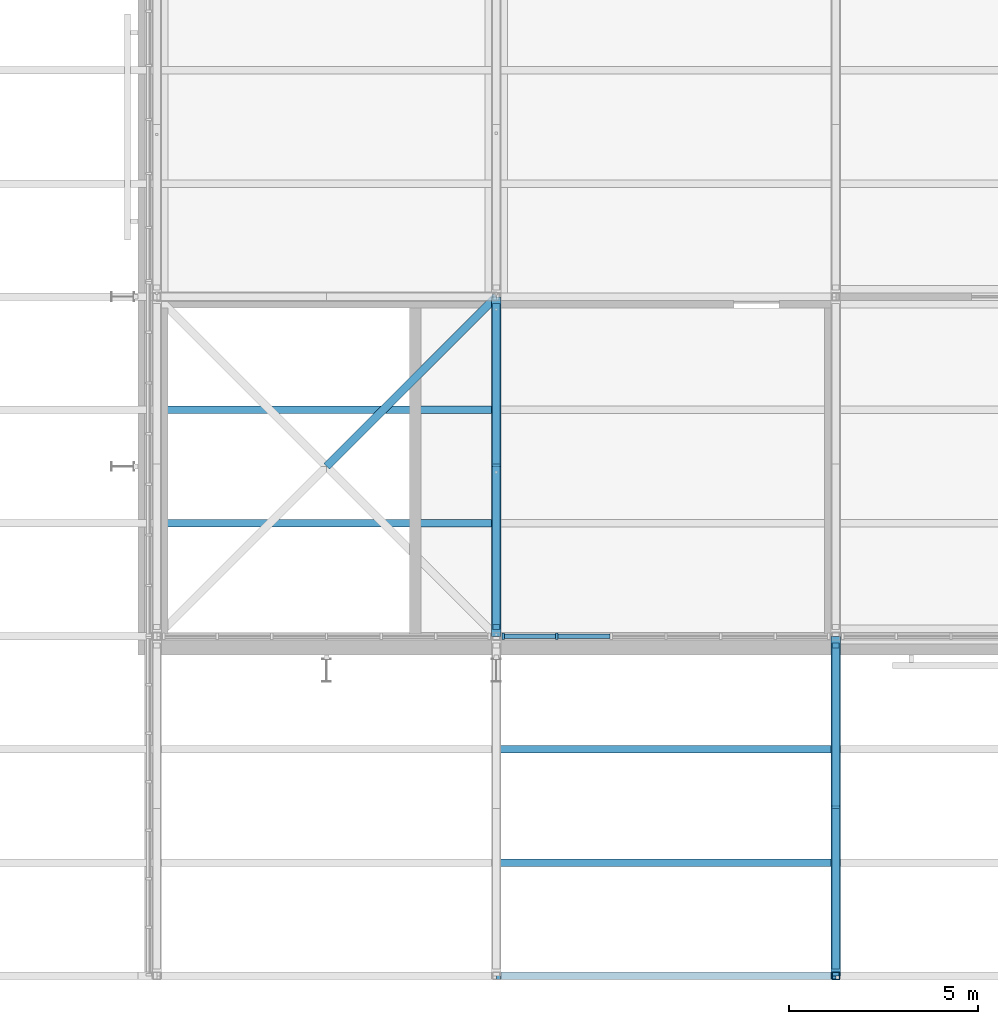
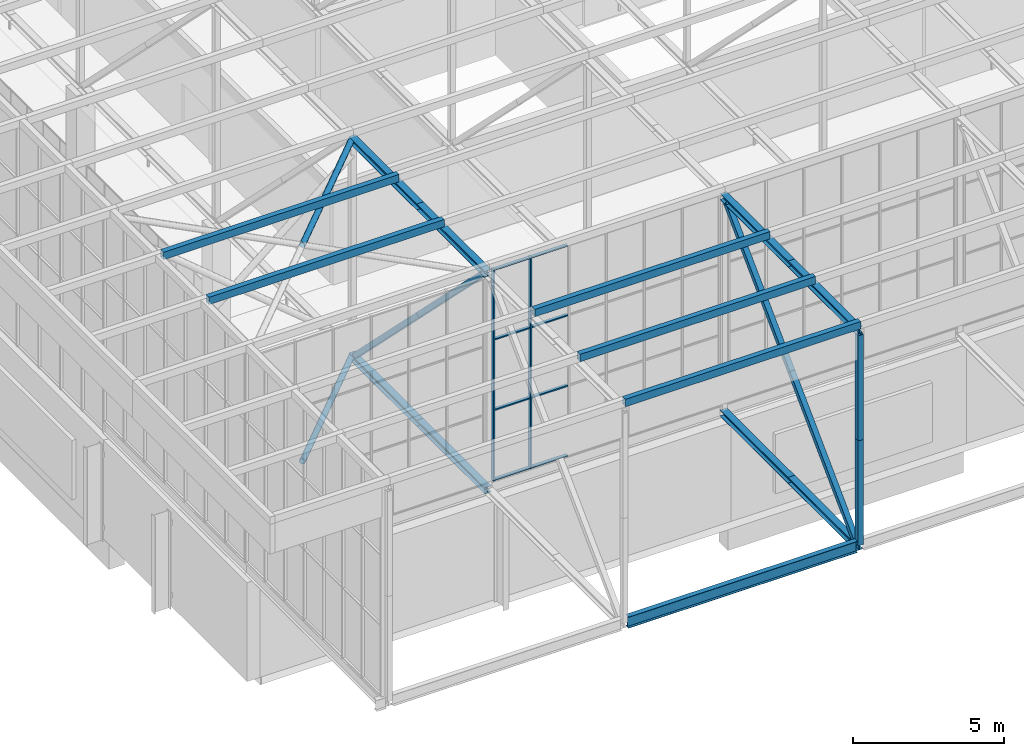
# One storey, part 10 of 646: 31 members, 1 beam, 1 element without a shape of its own.
"""IFC4 building model written with IfcOpenShell, lengths in metres."""

from ifc_helpers import new_model, si_unit, direction, frame, origin, origin_2d, place, context, subcontext, project, spatial, rectangle, hollow_rectangle, hollow_circle, i_section, extrude, material, material_profile, profile_set, type_object, element, aggregate, save


model = new_model("IFC4")

# Units and contexts
model_context = context("Model", 3, precision=1e-05, world=origin(), true_north=direction((0.0, 1.0)))
body_context = subcontext(model_context, "Body", "Model", "MODEL_VIEW")
ifc_project = project(units=[si_unit("LENGTHUNIT", "METRE"), si_unit("AREAUNIT", "SQUARE_METRE"), si_unit("VOLUMEUNIT", "CUBIC_METRE"), si_unit("PLANEANGLEUNIT", "RADIAN"), si_unit("MASSUNIT", "GRAM", prefix="KILO")], contexts=[model_context])

# Site, building, storey
site_placement = place(None, origin())
site = spatial("IfcSite", under=ifc_project, at=site_placement, CompositionType="ELEMENT")
building_placement = place(site_placement, origin())
building = spatial("IfcBuilding", under=site, at=building_placement, Name="Silverbay Arena", CompositionType="ELEMENT")
storey_placement = place(building_placement, frame((0.0, 0.0, 33.5)))
storey = spatial("IfcBuildingStorey", under=building, at=storey_placement, Name="L05", CompositionType="ELEMENT", Elevation=33.5)

# Members
ifc_material_1 = material(Name="Steel S355", Category="steel")
ifc_material_profile_1 = material_profile(ifc_material_1, i_section(OverallWidth=0.254638671875, OverallDepth=0.254150390625, WebThickness=0.008544921875, FlangeThickness=0.01416015625, at=origin_2d()), Name="UC 254x254x73")
ifc_profile_set_1 = profile_set([ifc_material_profile_1], Name="Steel S355")
member_type_1 = type_object("IfcMemberType", Name="Medium-span bottom chord UC 254x254x73", PredefinedType="CHORD", material=ifc_profile_set_1)
for number, where, z_axis, x_axis, name in (
    (1, (72.0, 9.0, 4.126953125), (0.0, 1.0, 0.0), (-1.0, 0.0, 0.0), "ROOF TRUSS 9 bottom chord 01a"),
    (2, (72.0, 13.5, 4.126953125), (0.0, 1.0, 0.0), (-1.0, 0.0, 0.0), "ROOF TRUSS 9 bottom chord 01b"),
):
    element("IfcMember", number, at=place(storey_placement, frame(where, z_axis=z_axis, x_axis=x_axis)), inside=storey, type_object=member_type_1, Name=name, PredefinedType="CHORD", context=body_context, shape_type="SweptSolid", body=[
        extrude(i_section(OverallWidth=0.254638671875, OverallDepth=0.254150390625, WebThickness=0.008544921875, FlangeThickness=0.01416015625, at=origin_2d()), origin(), (0.0, 0.0, 1.0), 4.5),
    ])
ifc_material_2 = material(Name="Steel S355", Category="steel")
ifc_material_profile_2 = material_profile(ifc_material_2, i_section(OverallWidth=0.254638671875, OverallDepth=0.254150390625, WebThickness=0.008544921875, FlangeThickness=0.01416015625, at=origin_2d()), Name="UC 254x254x73")
ifc_profile_set_2 = profile_set([ifc_material_profile_2], Name="Steel S355")
member_type_2 = type_object("IfcMemberType", Name="Medium-span top chord UC 254x254x73", PredefinedType="CHORD", material=ifc_profile_set_2)
for number, where, z_axis, x_axis, name in (
    (3, (72.0, 9.0, 12.873046875), (0.0, 1.0, 0.0), (-1.0, 0.0, 0.0), "ROOF TRUSS 9 top chord 01a"),
    (4, (72.0, 13.5, 12.873046875), (0.0, 1.0, 0.0), (-1.0, 0.0, 0.0), "ROOF TRUSS 9 top chord 01b"),
):
    element("IfcMember", number, at=place(storey_placement, frame(where, z_axis=z_axis, x_axis=x_axis)), inside=storey, type_object=member_type_2, Name=name, PredefinedType="CHORD", context=body_context, shape_type="SweptSolid", body=[
        extrude(i_section(OverallWidth=0.254638671875, OverallDepth=0.254150390625, WebThickness=0.008544921875, FlangeThickness=0.01416015625, at=origin_2d()), origin(), (0.0, 0.0, 1.0), 4.5),
    ])
ifc_material_3 = material(Name="Steel S355", Category="steel")
ifc_material_profile_3 = material_profile(ifc_material_3, hollow_rectangle(XDim=0.199951171875, YDim=0.199951171875, WallThickness=0.008056640625, at=origin_2d()), Name="SHS 200x200x8")
ifc_profile_set_3 = profile_set([ifc_material_profile_3], Name="Steel S355")
member_type_3 = type_object("IfcMemberType", Name="Medium-span truss diagonal SHS 200x200x8", PredefinedType="BRACE", material=ifc_profile_set_3)
for number, where, z_axis, x_axis, name in (
    (5, (72.0, 17.75439453125, 12.745849609375), (0.0, -0.70781724692, -0.706395600894), (1.0, 0.0, 0.0), "ROOF TRUSS 9 diagonal 01a"),
    (6, (72.0, 13.5, 8.5), (0.0, -0.70781724692, -0.706395600894), (1.0, 0.0, 0.0), "ROOF TRUSS 9 diagonal 01b"),
):
    element("IfcMember", number, at=place(storey_placement, frame(where, z_axis=z_axis, x_axis=x_axis)), inside=storey, type_object=member_type_3, Name=name, PredefinedType="BRACE", context=body_context, shape_type="SweptSolid", body=[
        extrude(hollow_rectangle(XDim=0.199951171875, YDim=0.199951171875, WallThickness=0.008056640625, at=origin_2d()), origin(), (0.0, 0.0, 1.0), 6.010498046875),
    ])
ifc_material_4 = material(Name="Steel S355", Category="steel")
ifc_material_profile_4 = material_profile(ifc_material_4, hollow_rectangle(XDim=0.199951171875, YDim=0.199951171875, WallThickness=0.008056640625, at=origin_2d()), Name="SHS 200x200x8")
ifc_profile_set_4 = profile_set([ifc_material_profile_4], Name="Steel S355")
member_type_4 = type_object("IfcMemberType", Name="Medium-span truss vertical SHS 200x200x8", PredefinedType="STRUT", material=ifc_profile_set_4)
for number, where, z_axis, x_axis, name in (
    (7, (72.0, 9.0, 4.254150390625), (0.0, 0.0, 1.0), (1.0, 0.0, 0.0), "ROOF TRUSS 9 vertical 01a"),
    (8, (72.0, 9.0, 8.5), (0.0, 0.0, 1.0), (1.0, 0.0, 0.0), "ROOF TRUSS 9 vertical 01b"),
):
    element("IfcMember", number, at=place(storey_placement, frame(where, z_axis=z_axis, x_axis=x_axis)), inside=storey, type_object=member_type_4, Name=name, PredefinedType="STRUT", context=body_context, shape_type="SweptSolid", body=[
        extrude(hollow_rectangle(XDim=0.199951171875, YDim=0.199951171875, WallThickness=0.008056640625, at=origin_2d()), origin(), (0.0, 0.0, 1.0), 4.245849609375),
    ])

# Curtain wall, members
ifc_material_5 = material(Name="Aluminium framed glazing", Category="aluminium")
curtain_wall_type = type_object("IfcCurtainWallType", Name="Curtain wall clerestory 8693 x 8540", PredefinedType="NOTDEFINED", material=ifc_material_5)
curtain_wall_placement = place(storey_placement, origin())
curtain_wall = element("IfcCurtainWall", 9, at=curtain_wall_placement, inside=storey, type_object=curtain_wall_type, Name="ROOF CLERESTORY CURTAIN WALL south bay 02", PredefinedType="NOTDEFINED")
ifc_material_6 = material(Name="Aluminium", Category="aluminium")
ifc_material_profile_5 = material_profile(ifc_material_6, rectangle(XDim=0.159912109375, YDim=0.06005859375, at=origin_2d()), Name="Mullion 60 x 160")
ifc_profile_set_5 = profile_set([ifc_material_profile_5], Name="Aluminium")
member_type_5 = type_object("IfcMemberType", Name="Mullion 60 x 160", PredefinedType="MULLION", material=ifc_profile_set_5)
member_1_placement = place(storey_placement, frame((63.18359375, 18.0, 4.4599609375), z_axis=(0.0, 0.0, 1.0), x_axis=(0.0, 1.0, 0.0)))
member_1 = element("IfcMember", 10, at=member_1_placement, type_object=member_type_5, Name="CW55 mullion 1", PredefinedType="MULLION", context=body_context, shape_type="SweptSolid", body=[
    extrude(rectangle(XDim=0.159912109375, YDim=0.06005859375, at=origin_2d()), origin(), (0.0, 0.0, 1.0), 8.5400390625),
])
member_2_placement = place(storey_placement, frame((64.6025390625, 18.0, 4.4599609375), z_axis=(0.0, 0.0, 1.0), x_axis=(0.0, 1.0, 0.0)))
member_2 = element("IfcMember", 11, at=member_2_placement, type_object=member_type_5, Name="CW55 mullion 2", PredefinedType="MULLION", context=body_context, shape_type="SweptSolid", body=[
    extrude(rectangle(XDim=0.159912109375, YDim=0.06005859375, at=origin_2d()), origin(), (0.0, 0.0, 1.0), 8.5400390625),
])

# Members
ifc_material_7 = material(Name="Steel S355", Category="steel")
ifc_material_profile_6 = material_profile(ifc_material_7, hollow_circle(Radius=0.109619140625, WallThickness=0.00634765625, at=origin_2d()), Name="CHS 219.1x6.3")
ifc_profile_set_6 = profile_set([ifc_material_profile_6], Name="Steel S355")
member_type_6 = type_object("IfcMemberType", Name="Plan bracing CHS 219.1x6.3", PredefinedType="BRACE", material=ifc_profile_set_6)
for number, where, z_axis, x_axis, name in (
    (12, (58.5, 22.5, 12.873046875), (0.707106781187, 0.707106781187, 0.0), (-0.707106781187, 0.707106781187, 0.0), "ROOF BRACING top 7-8 panel 02 Ab"),
    (13, (58.5, 22.5, 4.126953125), (0.707106781187, 0.707106781187, 0.0), (-0.707106781187, 0.707106781187, 0.0), "ROOF BRACING bottom 7-8 panel 02 Ab"),
):
    element("IfcMember", number, at=place(storey_placement, frame(where, z_axis=z_axis, x_axis=x_axis)), inside=storey, type_object=member_type_6, Name=name, PredefinedType="BRACE", context=body_context, shape_type="SweptSolid", body=[
        extrude(hollow_circle(Radius=0.109619140625, WallThickness=0.00634765625, at=origin_2d()), origin(), (0.0, 0.0, 1.0), 6.364013671875),
    ])
ifc_material_8 = material(Name="Steel S355", Category="steel")
ifc_material_profile_7 = material_profile(ifc_material_8, hollow_rectangle(XDim=0.199951171875, YDim=0.300048828125, WallThickness=0.008056640625, at=origin_2d()), Name="RHS 300x200x8")
ifc_profile_set_7 = profile_set([ifc_material_profile_7], Name="Steel S355")
member_type_7 = type_object("IfcMemberType", Name="Purlin RHS 300x200x8", PredefinedType="PURLIN", material=ifc_profile_set_7)
for number, where, z_axis, x_axis, name in (
    (14, (54.0, 21.0, 13.14990234375), (1.0, 0.0, 0.0), (0.0, 1.0, 0.0), "ROOF PURLIN 7-8 line 05"),
    (15, (54.0, 24.0, 13.14990234375), (1.0, 0.0, 0.0), (0.0, 1.0, 0.0), "ROOF PURLIN 7-8 line 06"),
    (16, (63.0, 9.0, 13.14990234375), (1.0, 0.0, 0.0), (0.0, 1.0, 0.0), "ROOF PURLIN 8-9 line 01"),
    (17, (63.0, 12.0, 13.14990234375), (1.0, 0.0, 0.0), (0.0, 1.0, 0.0), "ROOF PURLIN 8-9 line 02"),
    (18, (63.0, 15.0, 13.14990234375), (1.0, 0.0, 0.0), (0.0, 1.0, 0.0), "ROOF PURLIN 8-9 line 03"),
):
    element("IfcMember", number, at=place(storey_placement, frame(where, z_axis=z_axis, x_axis=x_axis)), inside=storey, type_object=member_type_7, Name=name, PredefinedType="PURLIN", context=body_context, shape_type="SweptSolid", body=[
        extrude(hollow_rectangle(XDim=0.199951171875, YDim=0.300048828125, WallThickness=0.008056640625, at=origin_2d()), origin(), (0.0, 0.0, 1.0), 9.0),
    ])

# Beam
ifc_material_9 = material(Name="Steel S355", Category="steel")
ifc_material_profile_8 = material_profile(ifc_material_9, i_section(OverallWidth=0.18994140625, OverallDepth=0.453369140625, WebThickness=0.008544921875, FlangeThickness=0.0126953125, at=origin_2d()), Name="UB 457x191x67")
ifc_profile_set_8 = profile_set([ifc_material_profile_8], Name="Steel S355")
beam_type = type_object("IfcBeamType", Name="Ring beam UB 457x191x67", PredefinedType="BEAM", material=ifc_profile_set_8)
beam_placement = place(storey_placement, frame((63.127197265625, 9.0, 4.226806640625), z_axis=(1.0, 0.0, 0.0), x_axis=(0.0, 1.0, 0.0)))
element("IfcBeam", 19, at=beam_placement, inside=storey, type_object=beam_type, Name="RING BEAM south edge 8-9", PredefinedType="BEAM", context=body_context, shape_type="SweptSolid", body=[
    extrude(i_section(OverallWidth=0.18994140625, OverallDepth=0.453369140625, WebThickness=0.008544921875, FlangeThickness=0.0126953125, at=origin_2d()), origin(), (0.0, 0.0, 1.0), 8.74560546875),
])

# Members
ifc_material_10 = material(Name="Steel S355", Category="steel")
ifc_material_profile_9 = material_profile(ifc_material_10, i_section(OverallWidth=0.254638671875, OverallDepth=0.254150390625, WebThickness=0.008544921875, FlangeThickness=0.01416015625, at=origin_2d()), Name="UC 254x254x73")
ifc_profile_set_9 = profile_set([ifc_material_profile_9], Name="Steel S355")
member_type_8 = type_object("IfcMemberType", Name="Short-span bottom chord UC 254x254x73", PredefinedType="CHORD", material=ifc_profile_set_9)
for number, where, z_axis, x_axis, name in (
    (20, (63.0, 18.0, 4.126953125), (0.0, 1.0, 0.0), (-1.0, 0.0, 0.0), "ROOF TRUSS 8 bottom chord 02a"),
    (21, (63.0, 22.5, 4.126953125), (0.0, 1.0, 0.0), (-1.0, 0.0, 0.0), "ROOF TRUSS 8 bottom chord 02b"),
):
    element("IfcMember", number, at=place(storey_placement, frame(where, z_axis=z_axis, x_axis=x_axis)), inside=storey, type_object=member_type_8, Name=name, PredefinedType="CHORD", context=body_context, shape_type="SweptSolid", body=[
        extrude(i_section(OverallWidth=0.254638671875, OverallDepth=0.254150390625, WebThickness=0.008544921875, FlangeThickness=0.01416015625, at=origin_2d()), origin(), (0.0, 0.0, 1.0), 4.5),
    ])
ifc_material_11 = material(Name="Steel S355", Category="steel")
ifc_material_profile_10 = material_profile(ifc_material_11, i_section(OverallWidth=0.254638671875, OverallDepth=0.254150390625, WebThickness=0.008544921875, FlangeThickness=0.01416015625, at=origin_2d()), Name="UC 254x254x73")
ifc_profile_set_10 = profile_set([ifc_material_profile_10], Name="Steel S355")
member_type_9 = type_object("IfcMemberType", Name="Short-span top chord UC 254x254x73", PredefinedType="CHORD", material=ifc_profile_set_10)
for number, where, z_axis, x_axis, name in (
    (22, (63.0, 18.0, 12.873046875), (0.0, 1.0, 0.0), (-1.0, 0.0, 0.0), "ROOF TRUSS 8 top chord 02a"),
    (23, (63.0, 22.5, 12.873046875), (0.0, 1.0, 0.0), (-1.0, 0.0, 0.0), "ROOF TRUSS 8 top chord 02b"),
):
    element("IfcMember", number, at=place(storey_placement, frame(where, z_axis=z_axis, x_axis=x_axis)), inside=storey, type_object=member_type_9, Name=name, PredefinedType="CHORD", context=body_context, shape_type="SweptSolid", body=[
        extrude(i_section(OverallWidth=0.254638671875, OverallDepth=0.254150390625, WebThickness=0.008544921875, FlangeThickness=0.01416015625, at=origin_2d()), origin(), (0.0, 0.0, 1.0), 4.5),
    ])
ifc_material_12 = material(Name="Steel S355", Category="steel")
ifc_material_profile_11 = material_profile(ifc_material_12, hollow_rectangle(XDim=0.199951171875, YDim=0.199951171875, WallThickness=0.008056640625, at=origin_2d()), Name="SHS 200x200x8")
ifc_profile_set_11 = profile_set([ifc_material_profile_11], Name="Steel S355")
member_type_10 = type_object("IfcMemberType", Name="Short-span truss diagonal SHS 200x200x8", PredefinedType="BRACE", material=ifc_profile_set_11)
for number, where, z_axis, x_axis, name in (
    (24, (63.0, 18.24560546875, 12.745849609375), (0.0, 0.70781724692, -0.706395600894), (-1.0, 0.0, 0.0), "ROOF TRUSS 8 diagonal 02a"),
    (25, (63.0, 22.5, 8.5), (0.0, 0.70781724692, -0.706395600894), (-1.0, 0.0, 0.0), "ROOF TRUSS 8 diagonal 02b"),
):
    element("IfcMember", number, at=place(storey_placement, frame(where, z_axis=z_axis, x_axis=x_axis)), inside=storey, type_object=member_type_10, Name=name, PredefinedType="BRACE", context=body_context, shape_type="SweptSolid", body=[
        extrude(hollow_rectangle(XDim=0.199951171875, YDim=0.199951171875, WallThickness=0.008056640625, at=origin_2d()), origin(), (0.0, 0.0, 1.0), 6.010498046875),
    ])

# Member
ifc_material_13 = material(Name="Aluminium", Category="aluminium")
ifc_material_profile_12 = material_profile(ifc_material_13, rectangle(XDim=0.1201171875, YDim=0.050048828125, at=origin_2d()), Name="Transom 50 x 120")
ifc_profile_set_12 = profile_set([ifc_material_profile_12], Name="Aluminium")
member_type_11 = type_object("IfcMemberType", Name="Transom 50 x 120", PredefinedType="USERDEFINED", material=ifc_profile_set_12)
member_3_placement = place(storey_placement, frame((63.213623046875, 18.0, 4.485107421875), z_axis=(1.0, 0.0, 0.0), x_axis=(0.0, 1.0, 0.0)))
member_3 = element("IfcMember", 26, at=member_3_placement, type_object=member_type_11, Name="CW55 transom 1.1", ObjectType="TRANSOM", PredefinedType="USERDEFINED", context=body_context, shape_type="SweptSolid", body=[
    extrude(rectangle(XDim=0.1201171875, YDim=0.050048828125, at=origin_2d()), origin(), (0.0, 0.0, 1.0), 1.35888671875),
])

member_4_placement = place(storey_placement, frame((63.213623046875, 18.0, 7.306640625), z_axis=(1.0, 0.0, 0.0), x_axis=(0.0, 1.0, 0.0)))
member_4 = element("IfcMember", 27, at=member_4_placement, type_object=member_type_11, Name="CW55 transom 1.2", ObjectType="TRANSOM", PredefinedType="USERDEFINED", context=body_context, shape_type="SweptSolid", body=[
    extrude(rectangle(XDim=0.1201171875, YDim=0.050048828125, at=origin_2d()), origin(), (0.0, 0.0, 1.0), 1.35888671875),
])

member_5_placement = place(storey_placement, frame((63.213623046875, 18.0, 10.1533203125), z_axis=(1.0, 0.0, 0.0), x_axis=(0.0, 1.0, 0.0)))
member_5 = element("IfcMember", 28, at=member_5_placement, type_object=member_type_11, Name="CW55 transom 1.3", ObjectType="TRANSOM", PredefinedType="USERDEFINED", context=body_context, shape_type="SweptSolid", body=[
    extrude(rectangle(XDim=0.1201171875, YDim=0.050048828125, at=origin_2d()), origin(), (0.0, 0.0, 1.0), 1.35888671875),
])

member_6_placement = place(storey_placement, frame((63.213623046875, 18.0, 12.97509765625), z_axis=(1.0, 0.0, 0.0), x_axis=(0.0, 1.0, 0.0)))
member_6 = element("IfcMember", 29, at=member_6_placement, type_object=member_type_11, Name="CW55 transom 1.4", ObjectType="TRANSOM", PredefinedType="USERDEFINED", context=body_context, shape_type="SweptSolid", body=[
    extrude(rectangle(XDim=0.1201171875, YDim=0.050048828125, at=origin_2d()), origin(), (0.0, 0.0, 1.0), 1.35888671875),
])

member_7_placement = place(storey_placement, frame((64.632568359375, 18.0, 4.485107421875), z_axis=(1.0, 0.0, 0.0), x_axis=(0.0, 1.0, 0.0)))
member_7 = element("IfcMember", 30, at=member_7_placement, type_object=member_type_11, Name="CW55 transom 2.1", ObjectType="TRANSOM", PredefinedType="USERDEFINED", context=body_context, shape_type="SweptSolid", body=[
    extrude(rectangle(XDim=0.1201171875, YDim=0.050048828125, at=origin_2d()), origin(), (0.0, 0.0, 1.0), 1.388671875),
])

member_8_placement = place(storey_placement, frame((64.632568359375, 18.0, 7.306640625), z_axis=(1.0, 0.0, 0.0), x_axis=(0.0, 1.0, 0.0)))
member_8 = element("IfcMember", 31, at=member_8_placement, type_object=member_type_11, Name="CW55 transom 2.2", ObjectType="TRANSOM", PredefinedType="USERDEFINED", context=body_context, shape_type="SweptSolid", body=[
    extrude(rectangle(XDim=0.1201171875, YDim=0.050048828125, at=origin_2d()), origin(), (0.0, 0.0, 1.0), 1.388671875),
])

member_9_placement = place(storey_placement, frame((64.632568359375, 18.0, 10.1533203125), z_axis=(1.0, 0.0, 0.0), x_axis=(0.0, 1.0, 0.0)))
member_9 = element("IfcMember", 32, at=member_9_placement, type_object=member_type_11, Name="CW55 transom 2.3", ObjectType="TRANSOM", PredefinedType="USERDEFINED", context=body_context, shape_type="SweptSolid", body=[
    extrude(rectangle(XDim=0.1201171875, YDim=0.050048828125, at=origin_2d()), origin(), (0.0, 0.0, 1.0), 1.388671875),
])

member_10_placement = place(storey_placement, frame((64.632568359375, 18.0, 12.97509765625), z_axis=(1.0, 0.0, 0.0), x_axis=(0.0, 1.0, 0.0)))
member_10 = element("IfcMember", 33, at=member_10_placement, type_object=member_type_11, Name="CW55 transom 2.4", ObjectType="TRANSOM", PredefinedType="USERDEFINED", context=body_context, shape_type="SweptSolid", body=[
    extrude(rectangle(XDim=0.1201171875, YDim=0.050048828125, at=origin_2d()), origin(), (0.0, 0.0, 1.0), 1.388671875),
])

aggregate(curtain_wall, [member_1, member_2, member_3, member_4, member_5, member_6, member_7, member_8, member_9, member_10])

save(model, "model.ifc")
